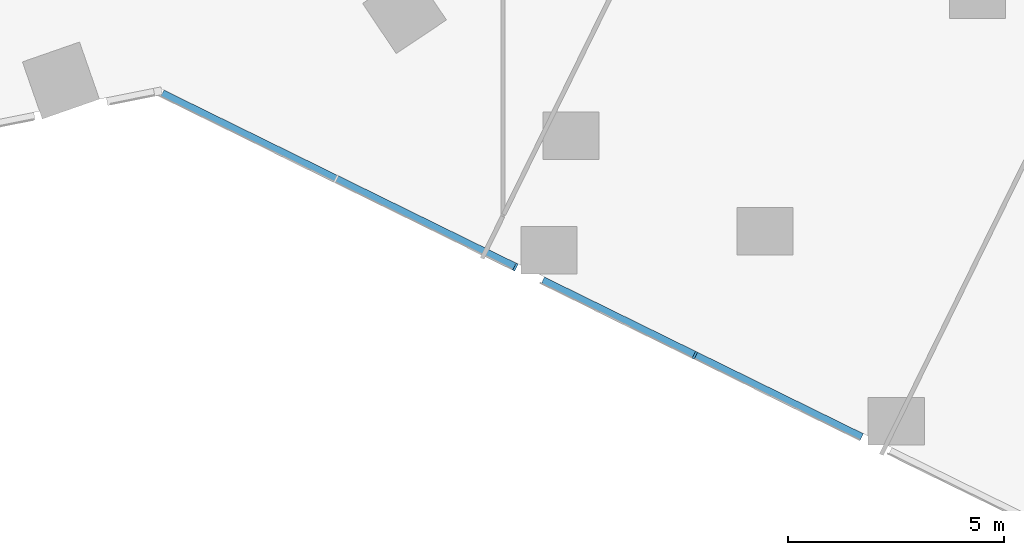
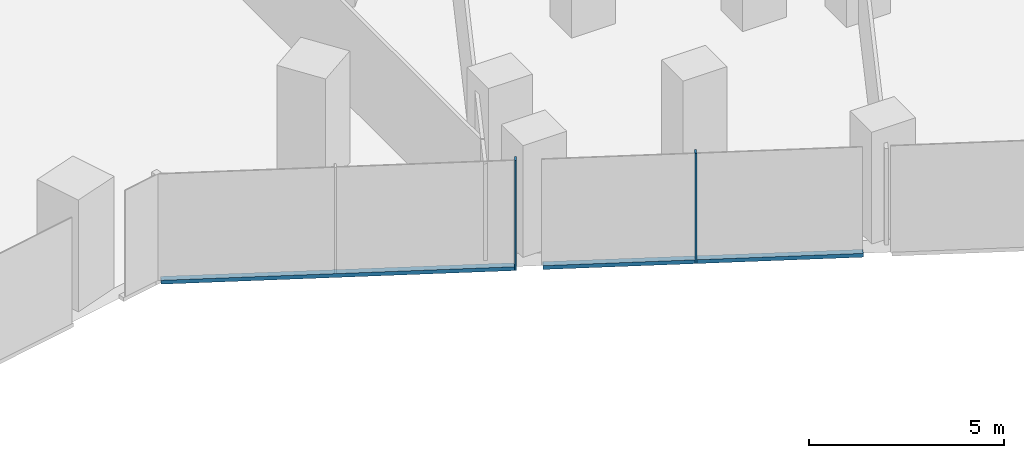
# One storey, part 9 of 38: 4 members, 1 element without a shape of its own.
"""IFC4 building model written with IfcOpenShell, lengths in metres."""

import ifcopenshell
import ifcopenshell.guid

model = None  # the IFC model being written
_history = None  # IfcOwnerHistory: only IFC2X3 demands one
_inside = {}  # id of a spatial element -> (the spatial element, [elements in it])
_under = {}  # id of a project, library or spatial element -> (it, [spatial elements below it])
_declared = {}  # id of a project -> (the project, [libraries it declares])
_typed = {}  # id of a type object -> (the type object, [elements of that type])
_made_of = {}  # id of a material, layer set ... -> (it, [elements and type objects made of it])


def new_model(schema):
    """Start an empty IFC model of exactly this schema.

    Asked for "IFC4X3", IfcOpenShell would pick the latest addendum, in which some entities
    have other attributes; the version numbers below select the first issue.
    IFC2X3 requires an IfcOwnerHistory on every rooted entity: one is made here for all.
    """
    global model, _history
    if schema == "IFC4X3":
        model = ifcopenshell.file(schema_version=(4, 3, 0, 0))
    else:
        model = ifcopenshell.file(schema=schema)
    _inside.clear()
    _under.clear()
    _declared.clear()
    _typed.clear()
    _made_of.clear()
    _history = None
    if model.schema == "IFC2X3":
        org = make("IfcOrganization", Name="unknown")
        user = make(
            "IfcPersonAndOrganization",
            ThePerson=make("IfcPerson", FamilyName="unknown"),
            TheOrganization=org,
        )
        app = make(
            "IfcApplication",
            ApplicationDeveloper=org,
            Version="unknown",
            ApplicationFullName="unknown",
            ApplicationIdentifier="unknown",
        )
        _history = make(
            "IfcOwnerHistory",
            OwningUser=user,
            OwningApplication=app,
            ChangeAction="ADDED",
            CreationDate=0,
        )
    return model


def make(cls, **values):
    """One entity of the class cls with the attributes given. An attribute that is None is left unset."""
    return model.create_entity(
        cls, **{name: value for name, value in values.items() if value is not None}
    )


def rooted(cls, **values):
    """An entity with a GlobalId (a new one), such as an element, a storey or a relation."""
    return make(cls, GlobalId=ifcopenshell.guid.new(), OwnerHistory=_history, **values)


def si_unit(unit_type, name, prefix=None):
    """IfcSIUnit, for example si_unit("LENGTHUNIT", "METRE", prefix="MILLI")."""
    return make("IfcSIUnit", UnitType=unit_type, Prefix=prefix, Name=name)


def assignment(units):
    """IfcUnitAssignment: the units of a project."""
    return None if units is None else make("IfcUnitAssignment", Units=units)


def point(xyz):
    """IfcCartesianPoint."""
    return None if xyz is None else make("IfcCartesianPoint", Coordinates=xyz)


def direction(xyz):
    """IfcDirection."""
    return None if xyz is None else make("IfcDirection", DirectionRatios=xyz)


def frame(location, z_axis=None, x_axis=None):
    """IfcAxis2Placement3D, a coordinate frame: its origin and axes. An axis left out is left unset."""
    return make(
        "IfcAxis2Placement3D",
        Location=point(location),
        Axis=direction(z_axis),
        RefDirection=direction(x_axis),
    )


def frame_2d(location, x_axis=None):
    """IfcAxis2Placement2D, a coordinate frame in the plane: its origin and x axis."""
    return make(
        "IfcAxis2Placement2D", Location=point(location), RefDirection=direction(x_axis)
    )


def origin():
    """The frame at (0, 0, 0) with its axes left unset."""
    return frame((0.0, 0.0, 0.0))


def origin_2d():
    """The frame at (0, 0) in the plane with its x axis left unset."""
    return frame_2d((0.0, 0.0))


def place(relative_to, where):
    """IfcLocalPlacement: puts the frame where relative to a parent placement (None: the world)."""
    return make(
        "IfcLocalPlacement", PlacementRelTo=relative_to, RelativePlacement=where
    )


def context(
    kind, dimensions, precision=None, world=None, true_north=None, identifier=None
):
    """IfcGeometricRepresentationContext, for example the 3D "Model" context."""
    return make(
        "IfcGeometricRepresentationContext",
        ContextIdentifier=identifier,
        ContextType=kind,
        CoordinateSpaceDimension=dimensions,
        Precision=precision,
        WorldCoordinateSystem=world,
        TrueNorth=true_north,
    )


def subcontext(parent, identifier, kind, view, scale=None):
    """IfcGeometricRepresentationSubContext, for example "Body" below "Model"."""
    return make(
        "IfcGeometricRepresentationSubContext",
        ContextIdentifier=identifier,
        ContextType=kind,
        ParentContext=parent,
        TargetScale=scale,
        TargetView=view,
    )


def project(units=None, contexts=None):
    """IfcProject with its units and contexts."""
    return rooted(
        "IfcProject",
        Name="project",
        RepresentationContexts=contexts,
        UnitsInContext=assignment(units),
    )


def spatial(cls, under=None, at=None, **own):
    """A site, building, storey or space (cls), placed at a placement, below another one or the project."""
    s = rooted(cls, ObjectPlacement=at, **own)
    if under is not None:
        _under.setdefault(under.id(), (under, []))[1].append(s)
    return s


def profile(cls, at=None, kind="AREA", **sizes):
    """A parametric profile (cls). Its sizes go by their IFC names, for example OverallWidth=200.0."""
    return make(cls, ProfileType=kind, Position=at, **sizes)


def rectangle(**sizes):
    """IfcRectangleProfileDef."""
    return profile("IfcRectangleProfileDef", **sizes)


def extrude(swept, where, along, depth):
    """IfcExtrudedAreaSolid: the profile swept, set in the frame where, extruded along a direction by depth."""
    return make(
        "IfcExtrudedAreaSolid",
        SweptArea=swept,
        Position=where,
        ExtrudedDirection=direction(along),
        Depth=depth,
    )


def shape(context_of_items, identifier, shape_type, items):
    """IfcShapeRepresentation: the items that make up one representation, for example the "Body"."""
    return make(
        "IfcShapeRepresentation",
        ContextOfItems=context_of_items,
        RepresentationIdentifier=identifier,
        RepresentationType=shape_type,
        Items=items,
    )


def material(Name=None, Category=None):
    """IfcMaterial."""
    return make("IfcMaterial", Name=Name, Category=Category)


def material_profile(
    of_material, cross_section, Name=None, Category=None, Priority=None
):
    """IfcMaterialProfile: a cross section and its material."""
    return make(
        "IfcMaterialProfile",
        Name=Name,
        Material=of_material,
        Profile=cross_section,
        Priority=Priority,
        Category=Category,
    )


def profile_set(profiles, Name=None, composite=None):
    """IfcMaterialProfileSet."""
    return make(
        "IfcMaterialProfileSet",
        Name=Name,
        MaterialProfiles=profiles,
        CompositeProfile=composite,
    )


def made_of(thing, what):
    """Note that an element or type object is made of a material, layer set ...; save() writes the relation."""
    if what is not None:
        _made_of.setdefault(what.id(), (what, []))[1].append(thing)
    return thing


def type_object(cls, material=None, **own):
    """A type object (cls), such as IfcWallType, which elements share."""
    return made_of(rooted(cls, **own), material)


def element(
    cls,
    number,
    at=None,
    inside=None,
    cuts=None,
    type_object=None,
    material=None,
    context=None,
    identifier="Body",
    shape_type=None,
    held_by="IfcProductDefinitionShape",
    body=None,
    shapes=None,
    **own,
):
    """One element of the class cls, such as IfcWall. Its Tag is "e" and its number.

    at: its placement. inside: the storey or other place that contains it. cuts: it is an
    opening in that element (IfcRelVoidsElement). A single representation is given by context,
    identifier, shape_type and body (its items); several are given by shapes. held_by: the class
    of the entity that holds the representations. save() writes the other relations.
    """
    e = rooted(cls, Tag="e%d" % number, ObjectPlacement=at, **own)
    if body is not None:
        shapes = [shape(context, identifier, shape_type, body)]
    if shapes is not None:
        e.Representation = make(held_by, Representations=shapes)
    if inside is not None:
        _inside.setdefault(inside.id(), (inside, []))[1].append(e)
    if cuts is not None:
        rooted(
            "IfcRelVoidsElement", RelatingBuildingElement=cuts, RelatedOpeningElement=e
        )
    if type_object is not None:
        _typed.setdefault(type_object.id(), (type_object, []))[1].append(e)
    return made_of(e, material)


def aggregate(whole, parts):
    """IfcRelAggregates: a whole, such as a stair, and the parts it consists of."""
    return rooted("IfcRelAggregates", RelatingObject=whole, RelatedObjects=parts)


def save(model, path):
    """Write the relations noted so far, then the file.

    IfcRelAggregates (storeys below a building ...), IfcRelContainedInSpatialStructure (elements
    in a storey), IfcRelDefinesByType, IfcRelAssociatesMaterial and IfcRelDeclares: one each for
    every whole, place, type object, material and project.
    """
    for whole, parts in _under.values():
        aggregate(whole, parts)
    for where, things in _inside.values():
        rooted(
            "IfcRelContainedInSpatialStructure",
            RelatedElements=things,
            RelatingStructure=where,
        )
    for kind, things in _typed.values():
        rooted("IfcRelDefinesByType", RelatedObjects=things, RelatingType=kind)
    for what, things in _made_of.values():
        rooted("IfcRelAssociatesMaterial", RelatedObjects=things, RelatingMaterial=what)
    for by, libraries in _declared.values():
        rooted("IfcRelDeclares", RelatingContext=by, RelatedDefinitions=libraries)
    model.write(path)


model = new_model("IFC4")

# Units and contexts
model_context = context("Model", 3, precision=1e-05, world=origin(), true_north=direction((0.0, 1.0)))
body_context = subcontext(model_context, "Body", "Model", "MODEL_VIEW")
ifc_project = project(units=[si_unit("LENGTHUNIT", "METRE"), si_unit("AREAUNIT", "SQUARE_METRE"), si_unit("VOLUMEUNIT", "CUBIC_METRE"), si_unit("PLANEANGLEUNIT", "RADIAN"), si_unit("MASSUNIT", "GRAM", prefix="KILO")], contexts=[model_context])

# Site, building, storey
site_placement = place(None, origin())
site = spatial("IfcSite", under=ifc_project, at=site_placement, CompositionType="ELEMENT")
building_placement = place(site_placement, origin())
building = spatial("IfcBuilding", under=site, at=building_placement, Name="Orlundy Tower", CompositionType="ELEMENT")
storey_placement = place(building_placement, frame((0.0, 0.0, 72.800048828125)))
storey = spatial("IfcBuildingStorey", under=building, at=storey_placement, Name="L17", CompositionType="ELEMENT", Elevation=72.800048828125)

# Curtain wall, members
ifc_material_1 = material(Name="Aluminium bronze anodised", Category="aluminium")
curtain_wall_type = type_object("IfcCurtainWallType", Name="CW1 wall", PredefinedType="NOTDEFINED", material=ifc_material_1)
curtain_wall_placement = place(storey_placement, origin())
curtain_wall = element("IfcCurtainWall", 1, at=curtain_wall_placement, inside=storey, type_object=curtain_wall_type, Name="CW1 run 00", PredefinedType="NOTDEFINED")
ifc_material_2 = material(Name="Aluminium bronze anodised", Category="aluminium")
ifc_material_profile_1 = material_profile(ifc_material_2, rectangle(XDim=0.179931640625, YDim=0.050048828125, at=origin_2d()), Name="CW1 mullion 50x180")
ifc_profile_set_1 = profile_set([ifc_material_profile_1], Name="Aluminium bronze anodised")
member_type_1 = type_object("IfcMemberType", Name="CW1 mullion 50x180", PredefinedType="MULLION", material=ifc_profile_set_1)
member_1_placement = place(storey_placement, frame((24.44580078125, -34.394775390625, -0.400146484375), z_axis=(0.0, 0.0, 1.0), x_axis=(-0.440968989984, -0.897522339484, 0.0)))
member_1 = element("IfcMember", 2, at=member_1_placement, type_object=member_type_1, Name="CW1 mullion 4", PredefinedType="MULLION", context=body_context, shape_type="SweptSolid", body=[
    extrude(rectangle(XDim=0.179931640625, YDim=0.050048828125, at=origin_2d()), origin(), (0.0, 0.0, 1.0), 3.4501953125),
])
member_2_placement = place(storey_placement, frame((20.28955078125, -32.352783203125, -0.400146484375), z_axis=(0.0, 0.0, 1.0), x_axis=(-0.440968989984, -0.897522339484, 0.0)))
member_2 = element("IfcMember", 3, at=member_2_placement, type_object=member_type_1, Name="CW1 mullion 5", PredefinedType="MULLION", context=body_context, shape_type="SweptSolid", body=[
    extrude(rectangle(XDim=0.179931640625, YDim=0.050048828125, at=origin_2d()), origin(), (0.0, 0.0, 1.0), 3.4501953125),
])
ifc_material_3 = material(Name="Aluminium bronze anodised", Category="aluminium")
ifc_material_profile_2 = material_profile(ifc_material_3, rectangle(XDim=0.179931640625, YDim=0.1201171875, at=origin_2d()), Name="CW1 transom 180x120")
ifc_profile_set_2 = profile_set([ifc_material_profile_2], Name="Aluminium bronze anodised")
member_type_2 = type_object("IfcMemberType", Name="CW1 transom 180x120", PredefinedType="USERDEFINED", material=ifc_profile_set_2)
member_3_placement = place(storey_placement, frame((28.31103515625, -36.293701171875, -0.340087890625), z_axis=(-0.897531468233, 0.440950409379, 0.0), x_axis=(-0.440950409379, -0.897531468233, 0.0)))
member_3 = element("IfcMember", 4, at=member_3_placement, type_object=member_type_2, Name="CW1 transom", ObjectType="TRANSOM", PredefinedType="USERDEFINED", context=body_context, shape_type="SweptSolid", body=[
    extrude(rectangle(XDim=0.179931640625, YDim=0.1201171875, at=origin_2d()), origin(), (0.0, 0.0, 1.0), 8.2314453125),
])
member_4_placement = place(storey_placement, frame((20.262939453125, -32.339599609375, -0.340087890625), z_axis=(-0.897527093527, 0.440959313752, 0.0), x_axis=(-0.440959313752, -0.897527093527, 0.0)))
member_4 = element("IfcMember", 5, at=member_4_placement, type_object=member_type_2, Name="CW1 transom", ObjectType="TRANSOM", PredefinedType="USERDEFINED", context=body_context, shape_type="SweptSolid", body=[
    extrude(rectangle(XDim=0.179931640625, YDim=0.1201171875, at=origin_2d()), origin(), (0.0, 0.0, 1.0), 9.087646484375),
])
aggregate(curtain_wall, [member_1, member_2, member_3, member_4])

save(model, "model.ifc")
